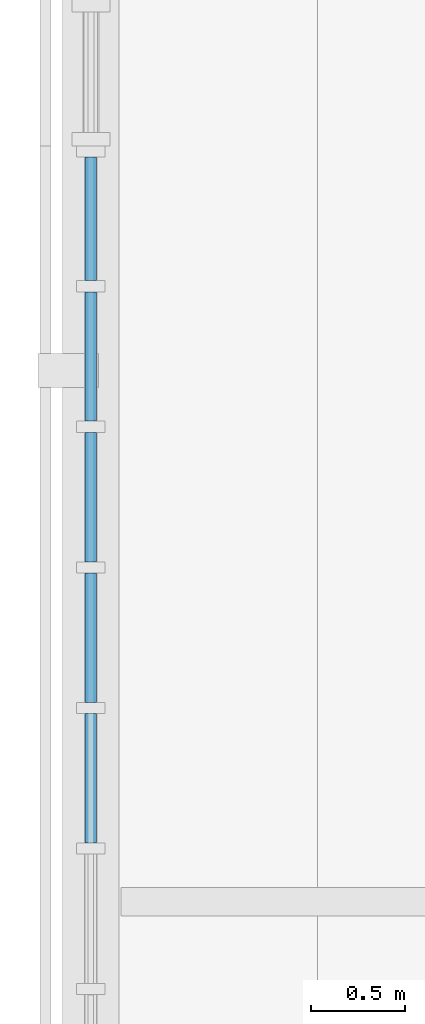
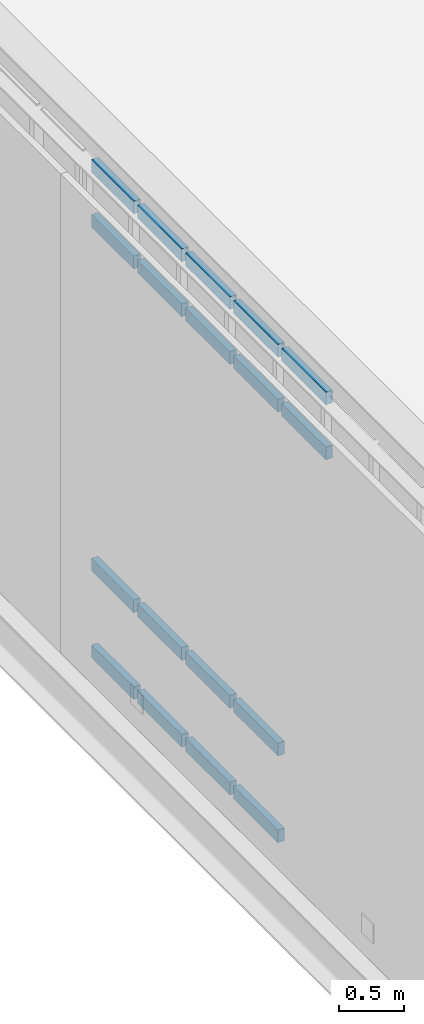
# One storey, part 47 of 135: 18 members, 1 element without a shape of its own.
"""IFC4 building model written with IfcOpenShell, lengths in metres."""

from ifc_helpers import new_model, si_unit, direction, frame, origin, origin_2d, place, context, subcontext, project, spatial, rectangle, extrude, material, material_profile, profile_set, type_object, element, aggregate, save


model = new_model("IFC4")

# Units and contexts
model_context = context("Model", 3, precision=1e-05, world=origin(), true_north=direction((0.0, 1.0)))
body_context = subcontext(model_context, "Body", "Model", "MODEL_VIEW")
ifc_project = project(units=[si_unit("LENGTHUNIT", "METRE"), si_unit("AREAUNIT", "SQUARE_METRE"), si_unit("VOLUMEUNIT", "CUBIC_METRE"), si_unit("PLANEANGLEUNIT", "RADIAN"), si_unit("MASSUNIT", "GRAM", prefix="KILO")], contexts=[model_context])

# Site, building, storey
site_placement = place(None, origin())
site = spatial("IfcSite", under=ifc_project, at=site_placement, CompositionType="ELEMENT")
building_placement = place(site_placement, origin())
building = spatial("IfcBuilding", under=site, at=building_placement, Name="Larkvane Passage Sports Hall", CompositionType="ELEMENT")
storey_placement = place(building_placement, frame((0.0, 0.0, 16.800048828125)))
storey = spatial("IfcBuildingStorey", under=building, at=storey_placement, Name="L03", CompositionType="ELEMENT", Elevation=16.800048828125)

# Curtain wall, members
ifc_material_1 = material(Name="Thermally broken aluminium and low-E glazing", Category="aluminium")
curtain_wall_type = type_object("IfcCurtainWallType", Name="CW-UNIT-COURT", PredefinedType="USERDEFINED", material=ifc_material_1)
curtain_wall_placement = place(storey_placement, origin())
curtain_wall = element("IfcCurtainWall", 1, at=curtain_wall_placement, inside=storey, type_object=curtain_wall_type, Name="Curtain wall CW5-L03-132", ObjectType="UNITISED CURTAIN WALL", PredefinedType="USERDEFINED")
ifc_material_2 = material(Name="Anodised aluminium 6063-T6", Category="aluminium")
ifc_material_profile = material_profile(ifc_material_2, rectangle(XDim=0.06005859375, YDim=0.1201171875, at=origin_2d()), Name="ALU-TRN-60x120")
ifc_profile_set = profile_set([ifc_material_profile], Name="Anodised aluminium 6063-T6")
member_type = type_object("IfcMemberType", Name="CW-TRN-60x120", PredefinedType="USERDEFINED", material=ifc_profile_set)
member_1_placement = place(storey_placement, frame((0.0, 59.811279296875, 4.097900390625), z_axis=(0.0, 1.0, 0.0), x_axis=(-1.0, 0.0, 0.0)))
member_1 = element("IfcMember", 2, at=member_1_placement, type_object=member_type, Name="CW-01 transom 4.3", ObjectType="TRANSOM", PredefinedType="USERDEFINED", context=body_context, shape_type="SweptSolid", body=[
    extrude(rectangle(XDim=0.06005859375, YDim=0.1201171875, at=origin_2d()), origin(), (0.0, 0.0, 1.0), 0.683837890625),
])
member_2_placement = place(storey_placement, frame((0.0, 59.811279296875, 4.617919921875), z_axis=(0.0, 1.0, 0.0), x_axis=(-1.0, 0.0, 0.0)))
member_2 = element("IfcMember", 3, at=member_2_placement, type_object=member_type, Name="CW-01 transom 4.4", ObjectType="TRANSOM", PredefinedType="USERDEFINED", context=body_context, shape_type="SweptSolid", body=[
    extrude(rectangle(XDim=0.06005859375, YDim=0.1201171875, at=origin_2d()), origin(), (0.0, 0.0, 1.0), 0.683837890625),
])
member_3_placement = place(storey_placement, frame((0.0, 60.554931640625, 0.030029296875), z_axis=(0.0, 1.0, 0.0), x_axis=(-1.0, 0.0, 0.0)))
member_3 = element("IfcMember", 4, at=member_3_placement, type_object=member_type, Name="CW-01 transom 5.1", ObjectType="TRANSOM", PredefinedType="USERDEFINED", context=body_context, shape_type="SweptSolid", body=[
    extrude(rectangle(XDim=0.06005859375, YDim=0.1201171875, at=origin_2d()), origin(), (0.0, 0.0, 1.0), 0.683837890625),
])
member_4_placement = place(storey_placement, frame((0.0, 60.554931640625, 0.849853515625), z_axis=(0.0, 1.0, 0.0), x_axis=(-1.0, 0.0, 0.0)))
member_4 = element("IfcMember", 5, at=member_4_placement, type_object=member_type, Name="CW-01 transom 5.2", ObjectType="TRANSOM", PredefinedType="USERDEFINED", context=body_context, shape_type="SweptSolid", body=[
    extrude(rectangle(XDim=0.06005859375, YDim=0.1201171875, at=origin_2d()), origin(), (0.0, 0.0, 1.0), 0.683837890625),
])
member_5_placement = place(storey_placement, frame((0.0, 60.554931640625, 4.097900390625), z_axis=(0.0, 1.0, 0.0), x_axis=(-1.0, 0.0, 0.0)))
member_5 = element("IfcMember", 6, at=member_5_placement, type_object=member_type, Name="CW-01 transom 5.3", ObjectType="TRANSOM", PredefinedType="USERDEFINED", context=body_context, shape_type="SweptSolid", body=[
    extrude(rectangle(XDim=0.06005859375, YDim=0.1201171875, at=origin_2d()), origin(), (0.0, 0.0, 1.0), 0.683837890625),
])
member_6_placement = place(storey_placement, frame((0.0, 60.554931640625, 4.617919921875), z_axis=(0.0, 1.0, 0.0), x_axis=(-1.0, 0.0, 0.0)))
member_6 = element("IfcMember", 7, at=member_6_placement, type_object=member_type, Name="CW-01 transom 5.4", ObjectType="TRANSOM", PredefinedType="USERDEFINED", context=body_context, shape_type="SweptSolid", body=[
    extrude(rectangle(XDim=0.06005859375, YDim=0.1201171875, at=origin_2d()), origin(), (0.0, 0.0, 1.0), 0.683837890625),
])
member_7_placement = place(storey_placement, frame((0.0, 61.298828125, 0.030029296875), z_axis=(0.0, 1.0, 0.0), x_axis=(-1.0, 0.0, 0.0)))
member_7 = element("IfcMember", 8, at=member_7_placement, type_object=member_type, Name="CW-01 transom 6.1", ObjectType="TRANSOM", PredefinedType="USERDEFINED", context=body_context, shape_type="SweptSolid", body=[
    extrude(rectangle(XDim=0.06005859375, YDim=0.1201171875, at=origin_2d()), origin(), (0.0, 0.0, 1.0), 0.68359375),
])
member_8_placement = place(storey_placement, frame((0.0, 61.298828125, 0.849853515625), z_axis=(0.0, 1.0, 0.0), x_axis=(-1.0, 0.0, 0.0)))
member_8 = element("IfcMember", 9, at=member_8_placement, type_object=member_type, Name="CW-01 transom 6.2", ObjectType="TRANSOM", PredefinedType="USERDEFINED", context=body_context, shape_type="SweptSolid", body=[
    extrude(rectangle(XDim=0.06005859375, YDim=0.1201171875, at=origin_2d()), origin(), (0.0, 0.0, 1.0), 0.68359375),
])
member_9_placement = place(storey_placement, frame((0.0, 61.298828125, 4.097900390625), z_axis=(0.0, 1.0, 0.0), x_axis=(-1.0, 0.0, 0.0)))
member_9 = element("IfcMember", 10, at=member_9_placement, type_object=member_type, Name="CW-01 transom 6.3", ObjectType="TRANSOM", PredefinedType="USERDEFINED", context=body_context, shape_type="SweptSolid", body=[
    extrude(rectangle(XDim=0.06005859375, YDim=0.1201171875, at=origin_2d()), origin(), (0.0, 0.0, 1.0), 0.68359375),
])
member_10_placement = place(storey_placement, frame((0.0, 61.298828125, 4.617919921875), z_axis=(0.0, 1.0, 0.0), x_axis=(-1.0, 0.0, 0.0)))
member_10 = element("IfcMember", 11, at=member_10_placement, type_object=member_type, Name="CW-01 transom 6.4", ObjectType="TRANSOM", PredefinedType="USERDEFINED", context=body_context, shape_type="SweptSolid", body=[
    extrude(rectangle(XDim=0.06005859375, YDim=0.1201171875, at=origin_2d()), origin(), (0.0, 0.0, 1.0), 0.68359375),
])
member_11_placement = place(storey_placement, frame((0.0, 62.04248046875, 0.030029296875), z_axis=(0.0, 1.0, 0.0), x_axis=(-1.0, 0.0, 0.0)))
member_11 = element("IfcMember", 12, at=member_11_placement, type_object=member_type, Name="CW-01 transom 7.1", ObjectType="TRANSOM", PredefinedType="USERDEFINED", context=body_context, shape_type="SweptSolid", body=[
    extrude(rectangle(XDim=0.06005859375, YDim=0.1201171875, at=origin_2d()), origin(), (0.0, 0.0, 1.0), 0.683837890625),
])
member_12_placement = place(storey_placement, frame((0.0, 62.04248046875, 0.849853515625), z_axis=(0.0, 1.0, 0.0), x_axis=(-1.0, 0.0, 0.0)))
member_12 = element("IfcMember", 13, at=member_12_placement, type_object=member_type, Name="CW-01 transom 7.2", ObjectType="TRANSOM", PredefinedType="USERDEFINED", context=body_context, shape_type="SweptSolid", body=[
    extrude(rectangle(XDim=0.06005859375, YDim=0.1201171875, at=origin_2d()), origin(), (0.0, 0.0, 1.0), 0.683837890625),
])
member_13_placement = place(storey_placement, frame((0.0, 62.04248046875, 4.097900390625), z_axis=(0.0, 1.0, 0.0), x_axis=(-1.0, 0.0, 0.0)))
member_13 = element("IfcMember", 14, at=member_13_placement, type_object=member_type, Name="CW-01 transom 7.3", ObjectType="TRANSOM", PredefinedType="USERDEFINED", context=body_context, shape_type="SweptSolid", body=[
    extrude(rectangle(XDim=0.06005859375, YDim=0.1201171875, at=origin_2d()), origin(), (0.0, 0.0, 1.0), 0.683837890625),
])
member_14_placement = place(storey_placement, frame((0.0, 62.04248046875, 4.617919921875), z_axis=(0.0, 1.0, 0.0), x_axis=(-1.0, 0.0, 0.0)))
member_14 = element("IfcMember", 15, at=member_14_placement, type_object=member_type, Name="CW-01 transom 7.4", ObjectType="TRANSOM", PredefinedType="USERDEFINED", context=body_context, shape_type="SweptSolid", body=[
    extrude(rectangle(XDim=0.06005859375, YDim=0.1201171875, at=origin_2d()), origin(), (0.0, 0.0, 1.0), 0.683837890625),
])
member_15_placement = place(storey_placement, frame((0.0, 62.7861328125, 0.030029296875), z_axis=(0.0, 1.0, 0.0), x_axis=(-1.0, 0.0, 0.0)))
member_15 = element("IfcMember", 16, at=member_15_placement, type_object=member_type, Name="CW-01 transom 8.1", ObjectType="TRANSOM", PredefinedType="USERDEFINED", context=body_context, shape_type="SweptSolid", body=[
    extrude(rectangle(XDim=0.06005859375, YDim=0.1201171875, at=origin_2d()), origin(), (0.0, 0.0, 1.0), 0.65380859375),
])
member_16_placement = place(storey_placement, frame((0.0, 62.7861328125, 0.849853515625), z_axis=(0.0, 1.0, 0.0), x_axis=(-1.0, 0.0, 0.0)))
member_16 = element("IfcMember", 17, at=member_16_placement, type_object=member_type, Name="CW-01 transom 8.2", ObjectType="TRANSOM", PredefinedType="USERDEFINED", context=body_context, shape_type="SweptSolid", body=[
    extrude(rectangle(XDim=0.06005859375, YDim=0.1201171875, at=origin_2d()), origin(), (0.0, 0.0, 1.0), 0.65380859375),
])
member_17_placement = place(storey_placement, frame((0.0, 62.7861328125, 4.097900390625), z_axis=(0.0, 1.0, 0.0), x_axis=(-1.0, 0.0, 0.0)))
member_17 = element("IfcMember", 18, at=member_17_placement, type_object=member_type, Name="CW-01 transom 8.3", ObjectType="TRANSOM", PredefinedType="USERDEFINED", context=body_context, shape_type="SweptSolid", body=[
    extrude(rectangle(XDim=0.06005859375, YDim=0.1201171875, at=origin_2d()), origin(), (0.0, 0.0, 1.0), 0.65380859375),
])
member_18_placement = place(storey_placement, frame((0.0, 62.7861328125, 4.617919921875), z_axis=(0.0, 1.0, 0.0), x_axis=(-1.0, 0.0, 0.0)))
member_18 = element("IfcMember", 19, at=member_18_placement, type_object=member_type, Name="CW-01 transom 8.4", ObjectType="TRANSOM", PredefinedType="USERDEFINED", context=body_context, shape_type="SweptSolid", body=[
    extrude(rectangle(XDim=0.06005859375, YDim=0.1201171875, at=origin_2d()), origin(), (0.0, 0.0, 1.0), 0.65380859375),
])
aggregate(curtain_wall, [member_1, member_2, member_3, member_4, member_5, member_6, member_7, member_8, member_9, member_10, member_11, member_12, member_13, member_14, member_15, member_16, member_17, member_18])

save(model, "model.ifc")
